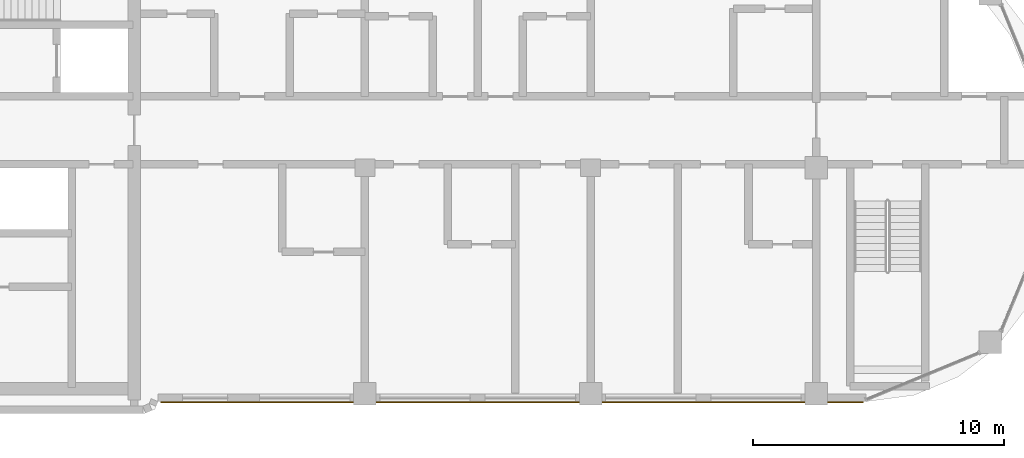
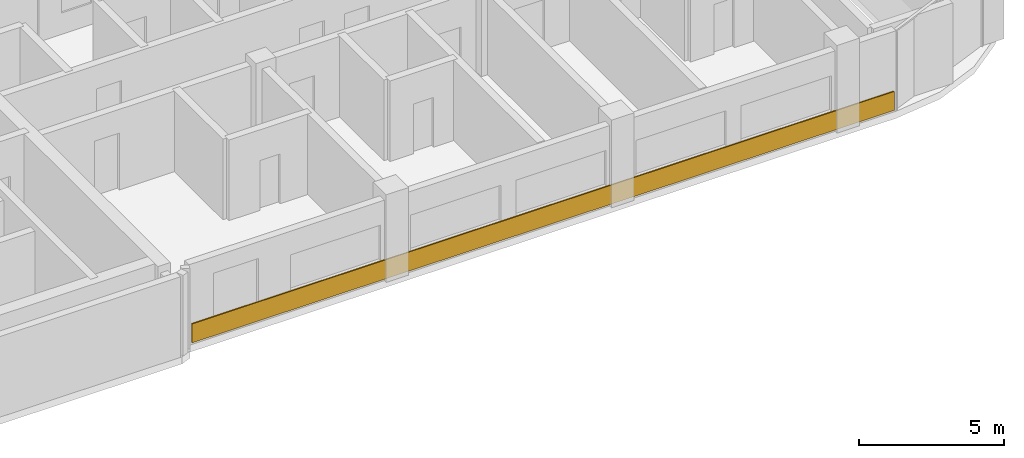
# One storey, part 17 of 19: 1 covering.
"""IFC4 building model written with IfcOpenShell, lengths in metres."""

from ifc_helpers import new_model, si_unit, direction, frame, origin, origin_2d, place, context, subcontext, project, spatial, rectangle, extrude, material, layer, layer_set, type_object, element, save


model = new_model("IFC4")

# Units and contexts
model_context = context("Model", 3, precision=1e-05, world=origin(), true_north=direction((0.0, 1.0)))
body_context = subcontext(model_context, "Body", "Model", "MODEL_VIEW")
ifc_project = project(units=[si_unit("LENGTHUNIT", "METRE"), si_unit("AREAUNIT", "SQUARE_METRE"), si_unit("VOLUMEUNIT", "CUBIC_METRE"), si_unit("PLANEANGLEUNIT", "RADIAN"), si_unit("MASSUNIT", "GRAM", prefix="KILO")], contexts=[model_context])

# Site, building, storey
site_placement = place(None, origin())
site = spatial("IfcSite", under=ifc_project, at=site_placement, CompositionType="ELEMENT")
building_placement = place(site_placement, origin())
building = spatial("IfcBuilding", under=site, at=building_placement, Name="Ogive Portal Towers", CompositionType="ELEMENT")
storey_placement = place(building_placement, frame((0.0, 0.0, 218.0)))
storey = spatial("IfcBuildingStorey", under=building, at=storey_placement, Name="L54", CompositionType="ELEMENT", Elevation=218.0)

# Covering
ifc_material = material(Name="Limestone cladding on lightweight block wall", Category="masonry")
ifc_layer = layer(ifc_material, 0.050048828125)
ifc_layer_set = layer_set([ifc_layer], Name="SCREEN PERFORATED STONE")
covering_type = type_object("IfcCoveringType", Name="SCREEN PERFORATED STONE", PredefinedType="CLADDING", material=ifc_layer_set)
covering_placement = place(storey_placement, frame((73.3671875, 21.155029296875, 0.10009765625), z_axis=(0.0, 0.0, 1.0), x_axis=(1.0, 0.0, 0.0)))
element("IfcCovering", 1, at=covering_placement, inside=storey, type_object=covering_type, Name="Tracery screen", PredefinedType="CLADDING", context=body_context, shape_type="SweptSolid", body=[
    extrude(rectangle(XDim=28.03369140625, YDim=0.050048828125, at=origin_2d()), origin(), (0.0, 0.0, 1.0), 0.800048828125),
])

save(model, "model.ifc")
